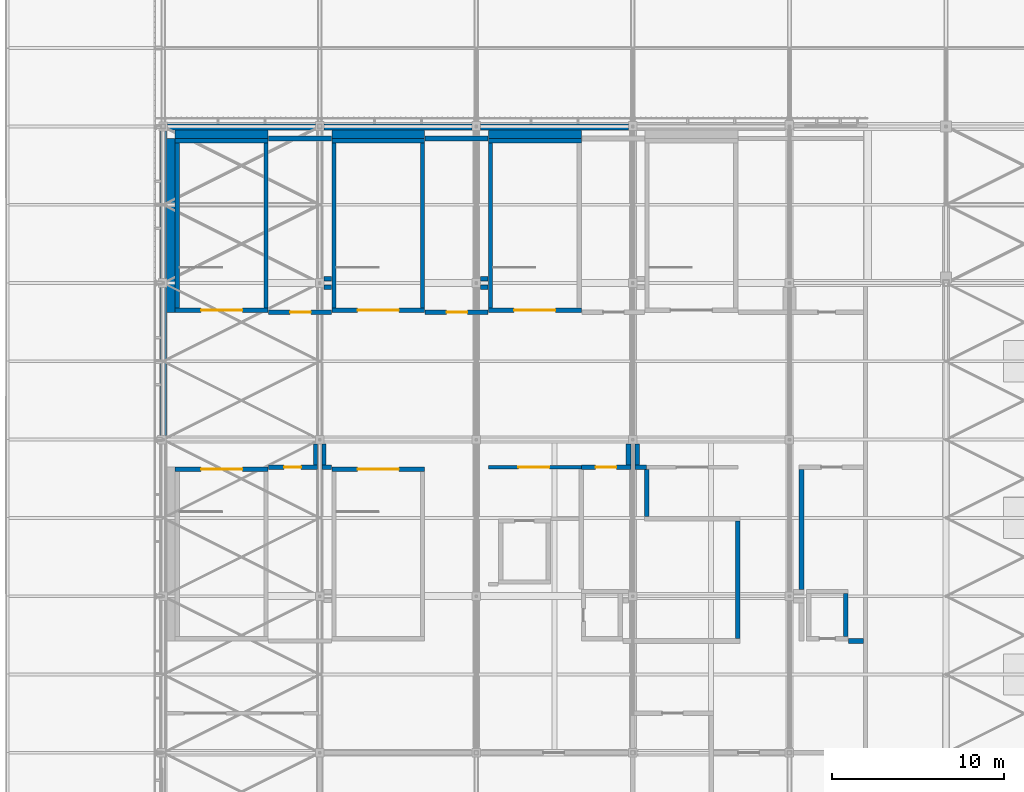
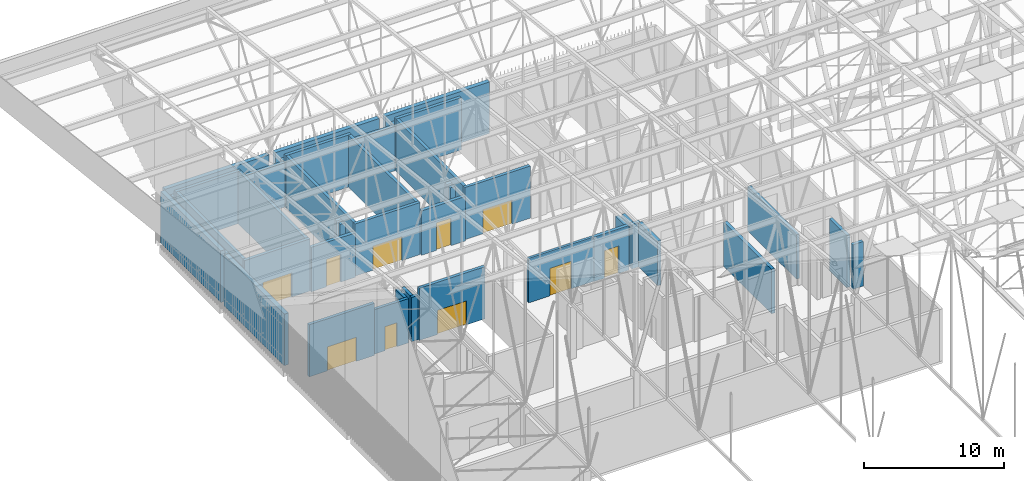
# One storey, part 430 of 500: 44 walls, 10 doors, 10 openings.
"""IFC4 building model written with IfcOpenShell, lengths in metres."""

from ifc_helpers import new_model, si_unit, direction, frame, frame_2d, origin, place, context, subcontext, project, spatial, rectangle, extrude, material, layer, layer_set, type_object, element, fill, save


model = new_model("IFC4")

# Units and contexts
model_context = context("Model", 3, precision=1e-05, world=origin(), true_north=direction((0.0, 1.0)))
body_context = subcontext(model_context, "Body", "Model", "MODEL_VIEW")
ifc_project = project(units=[si_unit("LENGTHUNIT", "METRE"), si_unit("AREAUNIT", "SQUARE_METRE"), si_unit("VOLUMEUNIT", "CUBIC_METRE"), si_unit("PLANEANGLEUNIT", "RADIAN"), si_unit("MASSUNIT", "GRAM", prefix="KILO")], contexts=[model_context])

# Site, building, storey
site_placement = place(None, origin())
site = spatial("IfcSite", under=ifc_project, at=site_placement, CompositionType="ELEMENT")
building_placement = place(site_placement, origin())
building = spatial("IfcBuilding", under=site, at=building_placement, Name="Shirokan Park Arena", CompositionType="ELEMENT")
storey_placement = place(building_placement, frame((0.0, 0.0, 29.1201171875)))
storey = spatial("IfcBuildingStorey", under=building, at=storey_placement, Name="L06", CompositionType="ELEMENT", Elevation=29.1201171875)

# Wall
ifc_material_1 = material(Name="Plaster")
ifc_layer_1 = layer(ifc_material_1, 0.014892578125, Name="Plaster")
ifc_material_2 = material(Name="Concrete blockwork", Category="masonry")
ifc_layer_2 = layer(ifc_material_2, 0.219970703125, Name="Concrete blockwork 220")
ifc_layer_3 = layer(ifc_material_1, 0.014892578125, Name="Plaster")
ifc_layer_set_1 = layer_set([ifc_layer_1, ifc_layer_2, ifc_layer_3], Name="Plaster + Concrete blockwork 220")
wall_type_1 = type_object("IfcWallType", Name="Compartment wall 250", PredefinedType="SOLIDWALL", material=ifc_layer_set_1)
wall_1_placement = place(storey_placement, frame((8.85009765625, 90.75, 0.0), z_axis=(0.0, 0.0, 1.0), x_axis=(0.0, -1.0, 0.0)))
element("IfcWall", 1, at=wall_1_placement, inside=storey, type_object=wall_type_1, Name="Compartment wall 250 L06", PredefinedType="SOLIDWALL", context=body_context, shape_type="SweptSolid", body=[
    extrude(rectangle(XDim=1.22509765625, YDim=0.25, at=frame_2d((0.612548828125, 0.0))), origin(), (0.0, 0.0, 1.0), 3.8798828125),
])

# Wall, opening, door
wall_2_placement = place(storey_placement, frame((8.97509765625, 89.39990234375, 0.0), z_axis=(0.0, 0.0, 1.0), x_axis=(-1.0, 0.0, 0.0)))
wall_2 = element("IfcWall", 2, at=wall_2_placement, inside=storey, type_object=wall_type_1, Name="Compartment wall 250 L06", PredefinedType="SOLIDWALL", context=body_context, shape_type="SweptSolid", body=[
    extrude(rectangle(XDim=2.84521484375, YDim=0.25, at=frame_2d((1.422607421875, 0.0))), origin(), (0.0, 0.0, 1.0), 3.8798828125),
])
opening_1_placement = place(wall_2_placement, frame((0.949951171875, 0.0, 0.0)))
opening_1 = element("IfcOpeningElement", 3, at=opening_1_placement, cuts=wall_2, Name="Opening D-6032", PredefinedType="OPENING", context=body_context, shape_type="SweptSolid", body=[
    extrude(rectangle(XDim=1.0, YDim=2.10009765625, at=frame_2d((0.5, 1.050048828125))), frame((0.0, 0.135009765625, 0.0), z_axis=(0.0, -1.0, 0.0), x_axis=(1.0, 0.0, 0.0)), (0.0, 0.0, 1.0), 0.27001953125),
])
ifc_material_3 = material(Name="Timber door set, fire resisting", Category="wood")
door_type_1 = type_object("IfcDoorType", Name="Door 1000 x 2100", OperationType="SINGLE_SWING_LEFT", PredefinedType="DOOR", material=ifc_material_3)
door_1_placement = place(opening_1_placement, origin())
door_1 = element("IfcDoor", 4, at=door_1_placement, inside=storey, type_object=door_type_1, Name="Door to Maintenance Equipment Store 6.47 D-6032", OperationType="SINGLE_SWING_LEFT", OverallHeight=2.10009765625, OverallWidth=1.0, PredefinedType="DOOR", context=body_context, shape_type="SweptSolid", body=[
    extrude(rectangle(XDim=1.0, YDim=2.10009765625, at=frame_2d((0.5, 1.050048828125))), frame((0.0, 0.02490234375, 0.0), z_axis=(0.0, -1.0, 0.0), x_axis=(1.0, 0.0, 0.0)), (0.0, 0.0, 1.0), 0.050048828125),
])
fill(opening_1, door_1)

# Walls
wall_3_placement = place(storey_placement, frame((9.35009765625, 89.52490234375, 0.0), z_axis=(0.0, 0.0, 1.0), x_axis=(0.0, 1.0, 0.0)))
element("IfcWall", 5, at=wall_3_placement, inside=storey, type_object=wall_type_1, Name="Compartment wall 250 L06", PredefinedType="SOLIDWALL", context=body_context, shape_type="SweptSolid", body=[
    extrude(rectangle(XDim=1.22509765625, YDim=0.25, at=frame_2d((0.612548828125, 0.0))), origin(), (0.0, 0.0, 1.0), 3.8798828125),
])
wall_4_placement = place(storey_placement, frame((9.77001953125, 89.39990234375, 0.0), z_axis=(0.0, 0.0, 1.0), x_axis=(-1.0, 0.0, 0.0)))
element("IfcWall", 6, at=wall_4_placement, inside=storey, type_object=wall_type_1, Name="Compartment wall 250 L06", PredefinedType="SOLIDWALL", context=body_context, shape_type="SweptSolid", body=[
    extrude(rectangle(XDim=0.544921875, YDim=0.25, at=frame_2d((0.2724609375, 0.0))), origin(), (0.0, 0.0, 1.0), 3.8798828125),
])

# Wall, opening, door
ifc_material_4 = material(Name="Gypsum board")
ifc_layer_4 = layer(ifc_material_4, 0.02490234375, Name="Gypsum board, two layers")
ifc_material_5 = material(Name="Mineral wool insulation")
ifc_layer_5 = layer(ifc_material_5, 0.14990234375, Name="Mineral wool insulation")
ifc_layer_6 = layer(ifc_material_4, 0.02490234375, Name="Gypsum board, two layers")
ifc_layer_set_2 = layer_set([ifc_layer_4, ifc_layer_5, ifc_layer_6], Name="Gypsum board, two layers + Mineral wool insulation")
wall_type_2 = type_object("IfcWallType", Name="Corridor wall 200", PredefinedType="PARTITIONING", material=ifc_layer_set_2)
wall_5_placement = place(storey_placement, frame((24.300048828125, 89.39990234375, 0.0), z_axis=(0.0, 0.0, 1.0), x_axis=(-1.0, 0.0, 0.0)))
wall_5 = element("IfcWall", 7, at=wall_5_placement, inside=storey, type_object=wall_type_2, Name="Corridor wall 200 L06", PredefinedType="PARTITIONING", context=body_context, shape_type="SweptSolid", body=[
    extrude(rectangle(XDim=5.400146484375, YDim=0.199951171875, at=frame_2d((2.7001953125, 0.0))), origin(), (0.0, 0.0, 1.0), 3.8798828125),
])
opening_2_placement = place(wall_5_placement, frame((1.85009765625, 0.0, 0.0)))
opening_2 = element("IfcOpeningElement", 8, at=opening_2_placement, cuts=wall_5, Name="Opening D-6059", PredefinedType="OPENING", context=body_context, shape_type="SweptSolid", body=[
    extrude(rectangle(XDim=1.800048828125, YDim=2.39990234375, at=frame_2d((0.89990234375, 1.199951171875))), frame((0.0, 0.10986328125, 0.0), z_axis=(0.0, -1.0, 0.0), x_axis=(1.0, 0.0, 0.0)), (0.0, 0.0, 1.0), 0.219970703125),
])
ifc_material_6 = material(Name="Glazed steel door set, fire resisting", Category="steel")
door_type_2 = type_object("IfcDoorType", Name="Lift lobby door 1800 x 2400", OperationType="DOUBLE_DOOR_SINGLE_SWING", PredefinedType="DOOR", material=ifc_material_6)
door_2_placement = place(opening_2_placement, origin())
door_2 = element("IfcDoor", 9, at=door_2_placement, inside=storey, type_object=door_type_2, Name="Door between Plant Gallery 4.6.1 and Service Lift Lobby 4.6 D-6059", OperationType="DOUBLE_DOOR_SINGLE_SWING", OverallHeight=2.39990234375, OverallWidth=1.800048828125, PredefinedType="DOOR", context=body_context, shape_type="SweptSolid", body=[
    extrude(rectangle(XDim=1.800048828125, YDim=2.39990234375, at=frame_2d((0.89990234375, 1.199951171875))), frame((0.0, 0.02490234375, 0.0), z_axis=(0.0, -1.0, 0.0), x_axis=(1.0, 0.0, 0.0)), (0.0, 0.0, 1.0), 0.050048828125),
])
fill(opening_2, door_2)

# Walls
ifc_material_7 = material(Name="Cedar cladding")
ifc_layer_7 = layer(ifc_material_7, 0.030029296875, Name="Cedar cladding")
ifc_layer_8 = layer(ifc_material_5, 0.10009765625, Name="Mineral wool insulation")
ifc_material_8 = material(Name="Concrete C35", Category="concrete")
ifc_layer_9 = layer(ifc_material_8, 0.199951171875, Name="Concrete C35")
ifc_material_9 = material(Name="Gypsum board lining")
ifc_layer_10 = layer(ifc_material_9, 0.02001953125, Name="Gypsum board lining")
ifc_layer_set_3 = layer_set([ifc_layer_7, ifc_layer_8, ifc_layer_9, ifc_layer_10], Name="Cedar cladding + Mineral wool insulation + Concrete C35 + Gypsum board lining")
wall_type_3 = type_object("IfcWallType", Name="Insulated tower wall 350", PredefinedType="SOLIDWALL", material=ifc_layer_set_3)
wall_6_placement = place(storey_placement, frame((27.050048828125, 109.175048828125, 0.0), z_axis=(0.0, 0.0, 1.0), x_axis=(-1.0, 0.0, 0.0)))
element("IfcWall", 10, at=wall_6_placement, inside=storey, type_object=wall_type_3, Name="North facade wall bay 14 L06", PredefinedType="SOLIDWALL", context=body_context, shape_type="SweptSolid", body=[
    extrude(rectangle(XDim=8.60009765625, YDim=0.35009765625, at=frame_2d((4.300048828125, 0.0))), origin(), (0.0, 0.0, 1.0), 4.5),
])
wall_7_placement = place(storey_placement, frame((17.949951171875, 109.175048828125, 0.0), z_axis=(0.0, 0.0, 1.0), x_axis=(-1.0, 0.0, 0.0)))
element("IfcWall", 11, at=wall_7_placement, inside=storey, type_object=wall_type_3, Name="North facade wall bay 15 L06", PredefinedType="SOLIDWALL", context=body_context, shape_type="SweptSolid", body=[
    extrude(rectangle(XDim=8.599853515625, YDim=0.35009765625, at=frame_2d((4.2998046875, 0.0))), origin(), (0.0, 0.0, 1.0), 4.5),
])
wall_8_placement = place(storey_placement, frame((8.85009765625, 109.175048828125, 0.0), z_axis=(0.0, 0.0, 1.0), x_axis=(-1.0, 0.0, 0.0)))
element("IfcWall", 12, at=wall_8_placement, inside=storey, type_object=wall_type_3, Name="North facade wall bay 16 L06", PredefinedType="SOLIDWALL", context=body_context, shape_type="SweptSolid", body=[
    extrude(rectangle(XDim=8.60009765625, YDim=0.35009765625, at=frame_2d((4.300048828125, 0.0))), origin(), (0.0, 0.0, 1.0), 4.5),
])
wall_9_placement = place(storey_placement, frame((0.02490234375, 108.949951171875, 0.0), z_axis=(0.0, 0.0, 1.0), x_axis=(0.0, -1.0, 0.0)))
element("IfcWall", 13, at=wall_9_placement, inside=storey, type_object=wall_type_3, Name="West facade wall bay 1 L06", PredefinedType="SOLIDWALL", context=body_context, shape_type="SweptSolid", body=[
    extrude(rectangle(XDim=8.599853515625, YDim=0.35009765625, at=frame_2d((4.2998046875, 0.0))), origin(), (0.0, 0.0, 1.0), 4.5),
])
wall_10_placement = place(storey_placement, frame((0.02490234375, 99.85009765625, 0.0), z_axis=(0.0, 0.0, 1.0), x_axis=(0.0, -1.0, 0.0)))
element("IfcWall", 14, at=wall_10_placement, inside=storey, type_object=wall_type_3, Name="West facade wall bay 2 L06", PredefinedType="SOLIDWALL", context=body_context, shape_type="SweptSolid", body=[
    extrude(rectangle(XDim=8.60009765625, YDim=0.35009765625, at=frame_2d((4.300048828125, 0.0))), origin(), (0.0, 0.0, 1.0), 4.5),
])

# Wall, opening, door
ifc_layer_11 = layer(ifc_material_1, 0.012451171875, Name="Plaster")
ifc_layer_12 = layer(ifc_material_2, 0.25, Name="Concrete blockwork 250")
ifc_layer_13 = layer(ifc_material_1, 0.012451171875, Name="Plaster")
ifc_layer_set_4 = layer_set([ifc_layer_11, ifc_layer_12, ifc_layer_13], Name="Plaster + Concrete blockwork 250")
wall_type_4 = type_object("IfcWallType", Name="Plant room wall 275", PredefinedType="SOLIDWALL", material=ifc_layer_set_4)
wall_11_placement = place(storey_placement, frame((6.1298828125, 98.39990234375, 0.0), z_axis=(0.0, 0.0, 1.0), x_axis=(1.0, 0.0, 0.0)))
wall_11 = element("IfcWall", 15, at=wall_11_placement, inside=storey, type_object=wall_type_4, Name="Plant room wall 275 L06", PredefinedType="SOLIDWALL", context=body_context, shape_type="SweptSolid", body=[
    extrude(rectangle(XDim=3.64013671875, YDim=0.27490234375, at=frame_2d((1.820068359375, 0.0))), origin(), (0.0, 0.0, 1.0), 3.8798828125),
])
opening_3_placement = place(wall_11_placement, frame((1.25, 0.0, 0.0)))
opening_3 = element("IfcOpeningElement", 16, at=opening_3_placement, cuts=wall_11, Name="Opening D-6035", PredefinedType="OPENING", context=body_context, shape_type="SweptSolid", body=[
    extrude(rectangle(XDim=1.199951171875, YDim=2.39990234375, at=frame_2d((0.60009765625, 1.199951171875))), frame((0.0, 0.1474609375, 0.0), z_axis=(0.0, -1.0, 0.0), x_axis=(1.0, 0.0, 0.0)), (0.0, 0.0, 1.0), 0.294921875),
])
ifc_material_10 = material(Name="Louvred steel door set, fire resisting", Category="steel")
door_type_3 = type_object("IfcDoorType", Name="Plant room door 1200 x 2400", OperationType="SINGLE_SWING_LEFT", PredefinedType="DOOR", material=ifc_material_10)
door_3_placement = place(opening_3_placement, origin())
door_3 = element("IfcDoor", 17, at=door_3_placement, inside=storey, type_object=door_type_3, Name="Door to Plant Store 6.40 D-6035", OperationType="SINGLE_SWING_LEFT", OverallHeight=2.39990234375, OverallWidth=1.199951171875, PredefinedType="DOOR", context=body_context, shape_type="SweptSolid", body=[
    extrude(rectangle(XDim=1.199951171875, YDim=2.39990234375, at=frame_2d((0.60009765625, 1.199951171875))), frame((0.0, 0.02490234375, 0.0), z_axis=(0.0, -1.0, 0.0), x_axis=(1.0, 0.0, 0.0)), (0.0, 0.0, 1.0), 0.050048828125),
])
fill(opening_3, door_3)

# Walls
wall_12_placement = place(storey_placement, frame((6.1298828125, 108.5, 0.0), z_axis=(0.0, 0.0, 1.0), x_axis=(1.0, 0.0, 0.0)))
element("IfcWall", 18, at=wall_12_placement, inside=storey, type_object=wall_type_4, Name="Plant room wall 275 L06", PredefinedType="SOLIDWALL", context=body_context, shape_type="SweptSolid", body=[
    extrude(rectangle(XDim=3.64013671875, YDim=0.27490234375, at=frame_2d((1.820068359375, 0.0))), origin(), (0.0, 0.0, 1.0), 3.8798828125),
])
for number, where, z_axis, x_axis, name in (
    (19, (9.35009765625, 99.85009765625, 0.0), (0.0, 0.0, 1.0), (1.0, 0.0, 0.0), "Plant room wall 275 L06"),
    (20, (9.77001953125, 100.35009765625, 0.0), (0.0, 0.0, 1.0), (-1.0, 0.0, 0.0), "Plant room wall 275 L06"),
):
    element("IfcWall", number, at=place(storey_placement, frame(where, z_axis=z_axis, x_axis=x_axis)), inside=storey, type_object=wall_type_4, Name=name, PredefinedType="SOLIDWALL", context=body_context, shape_type="SweptSolid", body=[
        extrude(rectangle(XDim=0.419921875, YDim=0.27490234375, at=frame_2d((0.2099609375, 0.0))), origin(), (0.0, 0.0, 1.0), 3.8798828125),
    ])

# Wall, opening, door
wall_13_placement = place(storey_placement, frame((15.22998046875, 98.39990234375, 0.0), z_axis=(0.0, 0.0, 1.0), x_axis=(1.0, 0.0, 0.0)))
wall_13 = element("IfcWall", 21, at=wall_13_placement, inside=storey, type_object=wall_type_4, Name="Plant room wall 275 L06", PredefinedType="SOLIDWALL", context=body_context, shape_type="SweptSolid", body=[
    extrude(rectangle(XDim=3.64013671875, YDim=0.27490234375, at=frame_2d((1.820068359375, 0.0))), origin(), (0.0, 0.0, 1.0), 3.8798828125),
])
opening_4_placement = place(wall_13_placement, frame((1.25, 0.0, 0.0)))
opening_4 = element("IfcOpeningElement", 22, at=opening_4_placement, cuts=wall_13, Name="Opening D-6036", PredefinedType="OPENING", context=body_context, shape_type="SweptSolid", body=[
    extrude(rectangle(XDim=1.199951171875, YDim=2.39990234375, at=frame_2d((0.60009765625, 1.199951171875))), frame((0.0, 0.1474609375, 0.0), z_axis=(0.0, -1.0, 0.0), x_axis=(1.0, 0.0, 0.0)), (0.0, 0.0, 1.0), 0.294921875),
])
door_4_placement = place(opening_4_placement, origin())
door_4 = element("IfcDoor", 23, at=door_4_placement, inside=storey, type_object=door_type_3, Name="Door to Electrical Room 6.41 D-6036", OperationType="SINGLE_SWING_LEFT", OverallHeight=2.39990234375, OverallWidth=1.199951171875, PredefinedType="DOOR", context=body_context, shape_type="SweptSolid", body=[
    extrude(rectangle(XDim=1.199951171875, YDim=2.39990234375, at=frame_2d((0.60009765625, 1.199951171875))), frame((0.0, 0.02490234375, 0.0), z_axis=(0.0, -1.0, 0.0), x_axis=(1.0, 0.0, 0.0)), (0.0, 0.0, 1.0), 0.050048828125),
])
fill(opening_4, door_4)

# Walls
wall_14_placement = place(storey_placement, frame((15.22998046875, 108.5, 0.0), z_axis=(0.0, 0.0, 1.0), x_axis=(1.0, 0.0, 0.0)))
element("IfcWall", 24, at=wall_14_placement, inside=storey, type_object=wall_type_4, Name="Plant room wall 275 L06", PredefinedType="SOLIDWALL", context=body_context, shape_type="SweptSolid", body=[
    extrude(rectangle(XDim=3.64013671875, YDim=0.27490234375, at=frame_2d((1.820068359375, 0.0))), origin(), (0.0, 0.0, 1.0), 3.8798828125),
])
for number, where, z_axis, x_axis, name in (
    (25, (18.449951171875, 99.85009765625, 0.0), (0.0, 0.0, 1.0), (1.0, 0.0, 0.0), "Plant room wall 275 L06"),
    (26, (18.8701171875, 100.35009765625, 0.0), (0.0, 0.0, 1.0), (-1.0, 0.0, 0.0), "Plant room wall 275 L06"),
):
    element("IfcWall", number, at=place(storey_placement, frame(where, z_axis=z_axis, x_axis=x_axis)), inside=storey, type_object=wall_type_4, Name=name, PredefinedType="SOLIDWALL", context=body_context, shape_type="SweptSolid", body=[
        extrude(rectangle(XDim=0.420166015625, YDim=0.27490234375, at=frame_2d((0.2099609375, 0.0))), origin(), (0.0, 0.0, 1.0), 3.8798828125),
    ])
wall_15_placement = place(storey_placement, frame((27.050048828125, 90.75, 0.0), z_axis=(0.0, 0.0, 1.0), x_axis=(0.0, -1.0, 0.0)))
element("IfcWall", 27, at=wall_15_placement, inside=storey, type_object=wall_type_4, Name="Plant room wall 275 L06", PredefinedType="SOLIDWALL", context=body_context, shape_type="SweptSolid", body=[
    extrude(rectangle(XDim=1.21240234375, YDim=0.27490234375, at=frame_2d((0.606201171875, 0.0))), origin(), (0.0, 0.0, 1.0), 3.8798828125),
])

# Wall, opening, door
wall_16_placement = place(storey_placement, frame((27.1875, 89.39990234375, 0.0), z_axis=(0.0, 0.0, 1.0), x_axis=(-1.0, 0.0, 0.0)))
wall_16 = element("IfcWall", 28, at=wall_16_placement, inside=storey, type_object=wall_type_4, Name="Plant room wall 275 L06", PredefinedType="SOLIDWALL", context=body_context, shape_type="SweptSolid", body=[
    extrude(rectangle(XDim=2.887451171875, YDim=0.27490234375, at=frame_2d((1.44384765625, 0.0))), origin(), (0.0, 0.0, 1.0), 3.8798828125),
])
opening_5_placement = place(wall_16_placement, frame((0.85009765625, 0.0, 0.0)))
opening_5 = element("IfcOpeningElement", 29, at=opening_5_placement, cuts=wall_16, Name="Opening D-6033", PredefinedType="OPENING", context=body_context, shape_type="SweptSolid", body=[
    extrude(rectangle(XDim=1.199951171875, YDim=2.39990234375, at=frame_2d((0.60009765625, 1.199951171875))), frame((0.0, 0.1474609375, 0.0), z_axis=(0.0, -1.0, 0.0), x_axis=(1.0, 0.0, 0.0)), (0.0, 0.0, 1.0), 0.294921875),
])
door_5_placement = place(opening_5_placement, origin())
door_5 = element("IfcDoor", 30, at=door_5_placement, inside=storey, type_object=door_type_3, Name="Door to Plant Store 6.48 D-6033", OperationType="SINGLE_SWING_LEFT", OverallHeight=2.39990234375, OverallWidth=1.199951171875, PredefinedType="DOOR", context=body_context, shape_type="SweptSolid", body=[
    extrude(rectangle(XDim=1.199951171875, YDim=2.39990234375, at=frame_2d((0.60009765625, 1.199951171875))), frame((0.0, 0.02490234375, 0.0), z_axis=(0.0, -1.0, 0.0), x_axis=(1.0, 0.0, 0.0)), (0.0, 0.0, 1.0), 0.050048828125),
])
fill(opening_5, door_5)

# Walls
wall_17_placement = place(storey_placement, frame((27.550048828125, 89.53759765625, 0.0), z_axis=(0.0, 0.0, 1.0), x_axis=(0.0, 1.0, 0.0)))
element("IfcWall", 31, at=wall_17_placement, inside=storey, type_object=wall_type_4, Name="Plant room wall 275 L06", PredefinedType="SOLIDWALL", context=body_context, shape_type="SweptSolid", body=[
    extrude(rectangle(XDim=1.21240234375, YDim=0.27490234375, at=frame_2d((0.606201171875, 0.0))), origin(), (0.0, 0.0, 1.0), 3.8798828125),
])
wall_18_placement = place(storey_placement, frame((28.10009765625, 89.262451171875, 0.0), z_axis=(0.0, 0.0, 1.0), x_axis=(0.0, -1.0, 0.0)))
element("IfcWall", 32, at=wall_18_placement, inside=storey, type_object=wall_type_4, Name="Plant room wall 275 L06", PredefinedType="SOLIDWALL", context=body_context, shape_type="SweptSolid", body=[
    extrude(rectangle(XDim=2.724853515625, YDim=0.27490234375, at=frame_2d((1.3623046875, 0.0))), origin(), (0.0, 0.0, 1.0), 3.8798828125),
])
wall_19_placement = place(storey_placement, frame((28.10009765625, 89.39990234375, 0.0), z_axis=(0.0, 0.0, 1.0), x_axis=(-1.0, 0.0, 0.0)))
element("IfcWall", 33, at=wall_19_placement, inside=storey, type_object=wall_type_4, Name="Plant room wall 275 L06", PredefinedType="SOLIDWALL", context=body_context, shape_type="SweptSolid", body=[
    extrude(rectangle(XDim=0.6875, YDim=0.27490234375, at=frame_2d((0.34375, 0.0))), origin(), (0.0, 0.0, 1.0), 3.8798828125),
])
wall_20_placement = place(storey_placement, frame((33.39990234375, 86.262451171875, 0.0), z_axis=(0.0, 0.0, 1.0), x_axis=(0.0, -1.0, 0.0)))
element("IfcWall", 34, at=wall_20_placement, inside=storey, type_object=wall_type_4, Name="Plant room wall 275 L06", PredefinedType="SOLIDWALL", context=body_context, shape_type="SweptSolid", body=[
    extrude(rectangle(XDim=6.824951171875, YDim=0.27490234375, at=frame_2d((3.41259765625, 0.0))), origin(), (0.0, 0.0, 1.0), 3.8798828125),
])
wall_21_placement = place(storey_placement, frame((37.10009765625, 89.262451171875, 0.0), z_axis=(0.0, 0.0, 1.0), x_axis=(0.0, -1.0, 0.0)))
element("IfcWall", 35, at=wall_21_placement, inside=storey, type_object=wall_type_4, Name="Plant room wall 275 L06", PredefinedType="SOLIDWALL", context=body_context, shape_type="SweptSolid", body=[
    extrude(rectangle(XDim=6.974853515625, YDim=0.27490234375, at=frame_2d((3.4873046875, 0.0))), origin(), (0.0, 0.0, 1.0), 3.8798828125),
])
wall_22_placement = place(storey_placement, frame((40.699951171875, 79.300048828125, 0.0), z_axis=(0.0, 0.0, 1.0), x_axis=(-1.0, 0.0, 0.0)))
element("IfcWall", 36, at=wall_22_placement, inside=storey, type_object=wall_type_4, Name="Plant room wall 275 L06", PredefinedType="SOLIDWALL", context=body_context, shape_type="SweptSolid", body=[
    extrude(rectangle(XDim=0.869873046875, YDim=0.27490234375, at=frame_2d((0.43505859375, 0.0))), origin(), (0.0, 0.0, 1.0), 3.8798828125),
])
ifc_material_11 = material(Name="Concrete C40/50", Category="concrete")
ifc_layer_14 = layer(ifc_material_11, 0.25)
ifc_layer_set_5 = layer_set([ifc_layer_14], Name="Concrete C40/50 250 mm")
wall_type_5 = type_object("IfcWallType", Name="RC shear wall 250", PredefinedType="SHEAR", material=ifc_layer_set_5)
wall_23_placement = place(storey_placement, frame((39.675048828125, 82.050048828125, 0.0), z_axis=(0.0, 0.0, 1.0), x_axis=(0.0, -1.0, 0.0)))
element("IfcWall", 37, at=wall_23_placement, inside=storey, type_object=wall_type_5, Name="Shaft wall Services Riser 4.1 E L06", PredefinedType="SHEAR", context=body_context, shape_type="SweptSolid", body=[
    extrude(rectangle(XDim=2.5, YDim=0.25, at=frame_2d((1.25, 0.0))), origin(), (0.0, 0.0, 1.0), 4.5498046875),
])

# Wall, opening, door
wall_24_placement = place(storey_placement, frame((6.10009765625, 98.52490234375, 0.0), z_axis=(0.0, 0.0, 1.0), x_axis=(-1.0, 0.0, 0.0)))
wall_24 = element("IfcWall", 38, at=wall_24_placement, inside=storey, type_object=wall_type_5, Name="Shaft wall Exit Stair 4.A S L06", PredefinedType="SHEAR", context=body_context, shape_type="SweptSolid", body=[
    extrude(rectangle(XDim=5.400146484375, YDim=0.25, at=frame_2d((2.7001953125, 0.0))), origin(), (0.0, 0.0, 1.0), 4.5498046875),
])
opening_6_placement = place(wall_24_placement, frame((1.5, 0.0, 0.0)))
opening_6 = element("IfcOpeningElement", 39, at=opening_6_placement, cuts=wall_24, Name="Opening D-6077", PredefinedType="OPENING", context=body_context, shape_type="SweptSolid", body=[
    extrude(rectangle(XDim=2.39990234375, YDim=2.10009765625, at=frame_2d((1.199951171875, 1.050048828125))), frame((0.0, 0.135009765625, 0.0), z_axis=(0.0, -1.0, 0.0), x_axis=(1.0, 0.0, 0.0)), (0.0, 0.0, 1.0), 0.27001953125),
])
ifc_material_12 = material(Name="Steel door set, fire resisting", Category="steel")
door_type_4 = type_object("IfcDoorType", Name="Stair door 2400 x 2100", OperationType="DOUBLE_DOOR_SINGLE_SWING", PredefinedType="DOOR", material=ifc_material_12)
door_6_placement = place(opening_6_placement, origin())
door_6 = element("IfcDoor", 40, at=door_6_placement, inside=storey, type_object=door_type_4, Name="Stair door Exit Stair 4.A D-6077", OperationType="DOUBLE_DOOR_SINGLE_SWING", OverallHeight=2.10009765625, OverallWidth=2.39990234375, PredefinedType="DOOR", context=body_context, shape_type="SweptSolid", body=[
    extrude(rectangle(XDim=2.39990234375, YDim=2.10009765625, at=frame_2d((1.199951171875, 1.050048828125))), frame((0.0, 0.02490234375, 0.0), z_axis=(0.0, -1.0, 0.0), x_axis=(1.0, 0.0, 0.0)), (0.0, 0.0, 1.0), 0.050048828125),
])
fill(opening_6, door_6)

# Walls
wall_25_placement = place(storey_placement, frame((6.10009765625, 108.375, 0.0), z_axis=(0.0, 0.0, 1.0), x_axis=(-1.0, 0.0, 0.0)))
element("IfcWall", 41, at=wall_25_placement, inside=storey, type_object=wall_type_5, Name="Shaft wall Exit Stair 4.A N L06", PredefinedType="SHEAR", context=body_context, shape_type="SweptSolid", body=[
    extrude(rectangle(XDim=5.400146484375, YDim=0.25, at=frame_2d((2.7001953125, 0.0))), origin(), (0.0, 0.0, 1.0), 4.5498046875),
])
for number, where, z_axis, x_axis, name in (
    (42, (0.824951171875, 108.25, 0.0), (0.0, 0.0, 1.0), (0.0, -1.0, 0.0), "Shaft wall Exit Stair 4.A W L06"),
    (43, (5.97509765625, 108.25, 0.0), (0.0, 0.0, 1.0), (0.0, -1.0, 0.0), "Shaft wall Exit Stair 4.A E L06"),
):
    element("IfcWall", number, at=place(storey_placement, frame(where, z_axis=z_axis, x_axis=x_axis)), inside=storey, type_object=wall_type_5, Name=name, PredefinedType="SHEAR", context=body_context, shape_type="SweptSolid", body=[
        extrude(rectangle(XDim=9.60009765625, YDim=0.25, at=frame_2d((4.800048828125, 0.0))), origin(), (0.0, 0.0, 1.0), 4.5498046875),
    ])

# Wall, opening, door
wall_26_placement = place(storey_placement, frame((15.199951171875, 98.52490234375, 0.0), z_axis=(0.0, 0.0, 1.0), x_axis=(-1.0, 0.0, 0.0)))
wall_26 = element("IfcWall", 44, at=wall_26_placement, inside=storey, type_object=wall_type_5, Name="Shaft wall Exit Stair 4.B S L06", PredefinedType="SHEAR", context=body_context, shape_type="SweptSolid", body=[
    extrude(rectangle(XDim=5.39990234375, YDim=0.25, at=frame_2d((2.699951171875, 0.0))), origin(), (0.0, 0.0, 1.0), 4.5498046875),
])
opening_7_placement = place(wall_26_placement, frame((1.5, 0.0, 0.0)))
opening_7 = element("IfcOpeningElement", 45, at=opening_7_placement, cuts=wall_26, Name="Opening D-6078", PredefinedType="OPENING", context=body_context, shape_type="SweptSolid", body=[
    extrude(rectangle(XDim=2.39990234375, YDim=2.10009765625, at=frame_2d((1.199951171875, 1.050048828125))), frame((0.0, 0.135009765625, 0.0), z_axis=(0.0, -1.0, 0.0), x_axis=(1.0, 0.0, 0.0)), (0.0, 0.0, 1.0), 0.27001953125),
])
door_7_placement = place(opening_7_placement, origin())
door_7 = element("IfcDoor", 46, at=door_7_placement, inside=storey, type_object=door_type_4, Name="Stair door Exit Stair 4.B D-6078", OperationType="DOUBLE_DOOR_SINGLE_SWING", OverallHeight=2.10009765625, OverallWidth=2.39990234375, PredefinedType="DOOR", context=body_context, shape_type="SweptSolid", body=[
    extrude(rectangle(XDim=2.39990234375, YDim=2.10009765625, at=frame_2d((1.199951171875, 1.050048828125))), frame((0.0, 0.02490234375, 0.0), z_axis=(0.0, -1.0, 0.0), x_axis=(1.0, 0.0, 0.0)), (0.0, 0.0, 1.0), 0.050048828125),
])
fill(opening_7, door_7)

# Walls
wall_27_placement = place(storey_placement, frame((15.199951171875, 108.375, 0.0), z_axis=(0.0, 0.0, 1.0), x_axis=(-1.0, 0.0, 0.0)))
element("IfcWall", 47, at=wall_27_placement, inside=storey, type_object=wall_type_5, Name="Shaft wall Exit Stair 4.B N L06", PredefinedType="SHEAR", context=body_context, shape_type="SweptSolid", body=[
    extrude(rectangle(XDim=5.39990234375, YDim=0.25, at=frame_2d((2.699951171875, 0.0))), origin(), (0.0, 0.0, 1.0), 4.5498046875),
])
for number, where, z_axis, x_axis, name in (
    (48, (9.925048828125, 108.25, 0.0), (0.0, 0.0, 1.0), (0.0, -1.0, 0.0), "Shaft wall Exit Stair 4.B W L06"),
    (49, (15.074951171875, 108.25, 0.0), (0.0, 0.0, 1.0), (0.0, -1.0, 0.0), "Shaft wall Exit Stair 4.B E L06"),
):
    element("IfcWall", number, at=place(storey_placement, frame(where, z_axis=z_axis, x_axis=x_axis)), inside=storey, type_object=wall_type_5, Name=name, PredefinedType="SHEAR", context=body_context, shape_type="SweptSolid", body=[
        extrude(rectangle(XDim=9.60009765625, YDim=0.25, at=frame_2d((4.800048828125, 0.0))), origin(), (0.0, 0.0, 1.0), 4.5498046875),
    ])

# Wall, opening, door
wall_28_placement = place(storey_placement, frame((24.300048828125, 98.52490234375, 0.0), z_axis=(0.0, 0.0, 1.0), x_axis=(-1.0, 0.0, 0.0)))
wall_28 = element("IfcWall", 50, at=wall_28_placement, inside=storey, type_object=wall_type_5, Name="Shaft wall Exit Stair 4.C S L06", PredefinedType="SHEAR", context=body_context, shape_type="SweptSolid", body=[
    extrude(rectangle(XDim=5.400146484375, YDim=0.25, at=frame_2d((2.7001953125, 0.0))), origin(), (0.0, 0.0, 1.0), 4.5498046875),
])
opening_8_placement = place(wall_28_placement, frame((1.5, 0.0, 0.0)))
opening_8 = element("IfcOpeningElement", 51, at=opening_8_placement, cuts=wall_28, Name="Opening D-6079", PredefinedType="OPENING", context=body_context, shape_type="SweptSolid", body=[
    extrude(rectangle(XDim=2.39990234375, YDim=2.10009765625, at=frame_2d((1.199951171875, 1.050048828125))), frame((0.0, 0.135009765625, 0.0), z_axis=(0.0, -1.0, 0.0), x_axis=(1.0, 0.0, 0.0)), (0.0, 0.0, 1.0), 0.27001953125),
])
door_8_placement = place(opening_8_placement, origin())
door_8 = element("IfcDoor", 52, at=door_8_placement, inside=storey, type_object=door_type_4, Name="Stair door Exit Stair 4.C D-6079", OperationType="DOUBLE_DOOR_SINGLE_SWING", OverallHeight=2.10009765625, OverallWidth=2.39990234375, PredefinedType="DOOR", context=body_context, shape_type="SweptSolid", body=[
    extrude(rectangle(XDim=2.39990234375, YDim=2.10009765625, at=frame_2d((1.199951171875, 1.050048828125))), frame((0.0, 0.02490234375, 0.0), z_axis=(0.0, -1.0, 0.0), x_axis=(1.0, 0.0, 0.0)), (0.0, 0.0, 1.0), 0.050048828125),
])
fill(opening_8, door_8)

# Walls
wall_29_placement = place(storey_placement, frame((24.300048828125, 108.375, 0.0), z_axis=(0.0, 0.0, 1.0), x_axis=(-1.0, 0.0, 0.0)))
element("IfcWall", 53, at=wall_29_placement, inside=storey, type_object=wall_type_5, Name="Shaft wall Exit Stair 4.C N L06", PredefinedType="SHEAR", context=body_context, shape_type="SweptSolid", body=[
    extrude(rectangle(XDim=5.400146484375, YDim=0.25, at=frame_2d((2.7001953125, 0.0))), origin(), (0.0, 0.0, 1.0), 4.5498046875),
])
wall_30_placement = place(storey_placement, frame((19.02490234375, 108.25, 0.0), z_axis=(0.0, 0.0, 1.0), x_axis=(0.0, -1.0, 0.0)))
element("IfcWall", 54, at=wall_30_placement, inside=storey, type_object=wall_type_5, Name="Shaft wall Exit Stair 4.C W L06", PredefinedType="SHEAR", context=body_context, shape_type="SweptSolid", body=[
    extrude(rectangle(XDim=9.60009765625, YDim=0.25, at=frame_2d((4.800048828125, 0.0))), origin(), (0.0, 0.0, 1.0), 4.5498046875),
])

# Wall, opening, door
wall_31_placement = place(storey_placement, frame((6.10009765625, 89.27490234375, 0.0), z_axis=(0.0, 0.0, 1.0), x_axis=(-1.0, 0.0, 0.0)))
wall_31 = element("IfcWall", 55, at=wall_31_placement, inside=storey, type_object=wall_type_5, Name="Shaft wall Exit Stair 4.E N L06", PredefinedType="SHEAR", context=body_context, shape_type="SweptSolid", body=[
    extrude(rectangle(XDim=5.400146484375, YDim=0.25, at=frame_2d((2.7001953125, 0.0))), origin(), (0.0, 0.0, 1.0), 4.5498046875),
])
opening_9_placement = place(wall_31_placement, frame((1.5, 0.0, 0.0)))
opening_9 = element("IfcOpeningElement", 56, at=opening_9_placement, cuts=wall_31, Name="Opening D-6081", PredefinedType="OPENING", context=body_context, shape_type="SweptSolid", body=[
    extrude(rectangle(XDim=2.39990234375, YDim=2.10009765625, at=frame_2d((1.199951171875, 1.050048828125))), frame((0.0, 0.135009765625, 0.0), z_axis=(0.0, -1.0, 0.0), x_axis=(1.0, 0.0, 0.0)), (0.0, 0.0, 1.0), 0.27001953125),
])
door_9_placement = place(opening_9_placement, origin())
door_9 = element("IfcDoor", 57, at=door_9_placement, inside=storey, type_object=door_type_4, Name="Stair door Exit Stair 4.E D-6081", OperationType="DOUBLE_DOOR_SINGLE_SWING", OverallHeight=2.10009765625, OverallWidth=2.39990234375, PredefinedType="DOOR", context=body_context, shape_type="SweptSolid", body=[
    extrude(rectangle(XDim=2.39990234375, YDim=2.10009765625, at=frame_2d((1.199951171875, 1.050048828125))), frame((0.0, 0.02490234375, 0.0), z_axis=(0.0, -1.0, 0.0), x_axis=(1.0, 0.0, 0.0)), (0.0, 0.0, 1.0), 0.050048828125),
])
fill(opening_9, door_9)

wall_32_placement = place(storey_placement, frame((15.199951171875, 89.27490234375, 0.0), z_axis=(0.0, 0.0, 1.0), x_axis=(-1.0, 0.0, 0.0)))
wall_32 = element("IfcWall", 58, at=wall_32_placement, inside=storey, type_object=wall_type_5, Name="Shaft wall Exit Stair 4.F N L06", PredefinedType="SHEAR", context=body_context, shape_type="SweptSolid", body=[
    extrude(rectangle(XDim=5.39990234375, YDim=0.25, at=frame_2d((2.699951171875, 0.0))), origin(), (0.0, 0.0, 1.0), 4.5498046875),
])
opening_10_placement = place(wall_32_placement, frame((1.5, 0.0, 0.0)))
opening_10 = element("IfcOpeningElement", 59, at=opening_10_placement, cuts=wall_32, Name="Opening D-6082", PredefinedType="OPENING", context=body_context, shape_type="SweptSolid", body=[
    extrude(rectangle(XDim=2.39990234375, YDim=2.10009765625, at=frame_2d((1.199951171875, 1.050048828125))), frame((0.0, 0.135009765625, 0.0), z_axis=(0.0, -1.0, 0.0), x_axis=(1.0, 0.0, 0.0)), (0.0, 0.0, 1.0), 0.27001953125),
])
door_10_placement = place(opening_10_placement, origin())
door_10 = element("IfcDoor", 60, at=door_10_placement, inside=storey, type_object=door_type_4, Name="Stair door Exit Stair 4.F D-6082", OperationType="DOUBLE_DOOR_SINGLE_SWING", OverallHeight=2.10009765625, OverallWidth=2.39990234375, PredefinedType="DOOR", context=body_context, shape_type="SweptSolid", body=[
    extrude(rectangle(XDim=2.39990234375, YDim=2.10009765625, at=frame_2d((1.199951171875, 1.050048828125))), frame((0.0, 0.02490234375, 0.0), z_axis=(0.0, -1.0, 0.0), x_axis=(1.0, 0.0, 0.0)), (0.0, 0.0, 1.0), 0.050048828125),
])
fill(opening_10, door_10)

# Walls
ifc_layer_15 = layer(ifc_material_8, 0.5)
ifc_layer_set_6 = layer_set([ifc_layer_15], Name="Concrete C35 500 mm")
wall_type_6 = type_object("IfcWallType", Name="Shaft infill wall 500", PredefinedType="SOLIDWALL", material=ifc_layer_set_6)
wall_33_placement = place(storey_placement, frame((0.699951171875, 108.75, 0.0), z_axis=(0.0, 0.0, 1.0), x_axis=(1.0, 0.0, 0.0)))
element("IfcWall", 61, at=wall_33_placement, inside=storey, type_object=wall_type_6, Name="Shaft infill wall L06", PredefinedType="SOLIDWALL", context=body_context, shape_type="SweptSolid", body=[
    extrude(rectangle(XDim=5.400146484375, YDim=0.5, at=frame_2d((2.7001953125, 0.0))), origin(), (0.0, 0.0, 1.0), 3.8798828125),
])
wall_34_placement = place(storey_placement, frame((0.449951171875, 98.39990234375, 0.0), z_axis=(0.0, 0.0, 1.0), x_axis=(0.0, 1.0, 0.0)))
element("IfcWall", 62, at=wall_34_placement, inside=storey, type_object=wall_type_6, Name="Shaft infill wall L06", PredefinedType="SOLIDWALL", context=body_context, shape_type="SweptSolid", body=[
    extrude(rectangle(XDim=10.10009765625, YDim=0.5, at=frame_2d((5.050048828125, 0.0))), origin(), (0.0, 0.0, 1.0), 3.8798828125),
])
wall_35_placement = place(storey_placement, frame((9.800048828125, 108.75, 0.0), z_axis=(0.0, 0.0, 1.0), x_axis=(1.0, 0.0, 0.0)))
element("IfcWall", 63, at=wall_35_placement, inside=storey, type_object=wall_type_6, Name="Shaft infill wall L06", PredefinedType="SOLIDWALL", context=body_context, shape_type="SweptSolid", body=[
    extrude(rectangle(XDim=5.39990234375, YDim=0.5, at=frame_2d((2.699951171875, 0.0))), origin(), (0.0, 0.0, 1.0), 3.8798828125),
])
wall_36_placement = place(storey_placement, frame((18.89990234375, 108.75, 0.0), z_axis=(0.0, 0.0, 1.0), x_axis=(1.0, 0.0, 0.0)))
element("IfcWall", 64, at=wall_36_placement, inside=storey, type_object=wall_type_6, Name="Shaft infill wall L06", PredefinedType="SOLIDWALL", context=body_context, shape_type="SweptSolid", body=[
    extrude(rectangle(XDim=5.400146484375, YDim=0.5, at=frame_2d((2.7001953125, 0.0))), origin(), (0.0, 0.0, 1.0), 3.8798828125),
])

save(model, "model.ifc")
